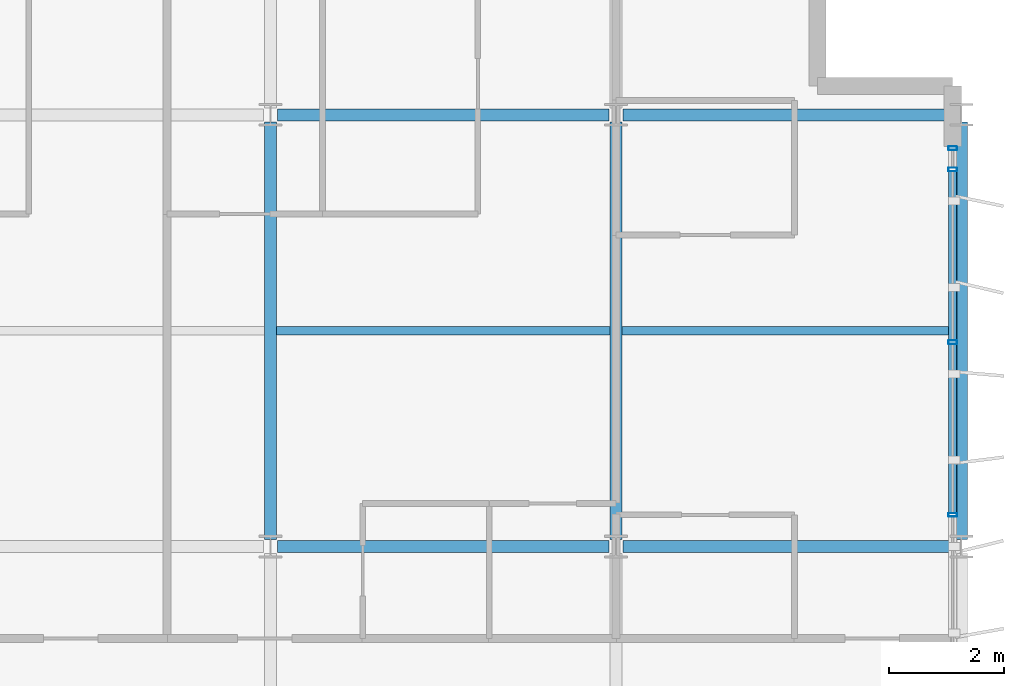
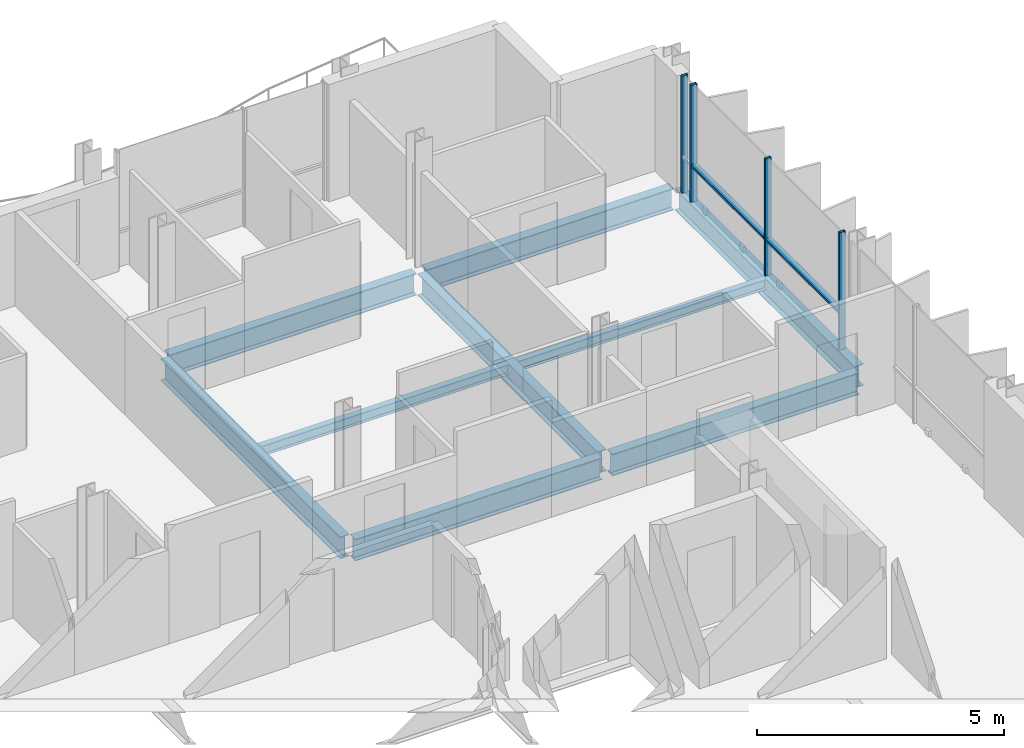
# One storey, part 12 of 29: 9 beams, 6 members, 1 element without a shape of its own.
"""IFC4 building model written with IfcOpenShell, lengths in metres."""

from ifc_helpers import new_model, si_unit, direction, frame, origin, origin_2d, place, context, subcontext, project, spatial, hollow_rectangle, i_section, extrude, material, layer, layer_set, material_profile, profile_set, type_object, element, aggregate, save


model = new_model("IFC4")

# Units and contexts
model_context = context("Model", 3, precision=1e-05, world=origin(), true_north=direction((0.0, 1.0)))
body_context = subcontext(model_context, "Body", "Model", "MODEL_VIEW")
ifc_project = project(units=[si_unit("LENGTHUNIT", "METRE"), si_unit("AREAUNIT", "SQUARE_METRE"), si_unit("VOLUMEUNIT", "CUBIC_METRE"), si_unit("PLANEANGLEUNIT", "RADIAN"), si_unit("MASSUNIT", "GRAM", prefix="KILO")], contexts=[model_context])

# Site, building, storey
site_placement = place(None, origin())
site = spatial("IfcSite", under=ifc_project, at=site_placement, CompositionType="ELEMENT")
building_placement = place(site_placement, origin())
building = spatial("IfcBuilding", under=site, at=building_placement, Name="Brevholm Reach", CompositionType="ELEMENT")
storey_placement = place(building_placement, frame((0.0, 0.0, 198.699951171875)))
storey = spatial("IfcBuildingStorey", under=building, at=storey_placement, Name="L60", CompositionType="ELEMENT", Elevation=198.699951171875)

# Beams
ifc_material_1 = material(Name="Structural Steel S355J2", Category="steel")
ifc_material_profile_1 = material_profile(ifc_material_1, i_section(OverallWidth=0.14599609375, OverallDepth=0.25146484375, WebThickness=0.006103515625, FlangeThickness=0.008544921875, FilletRadius=0.007568359375, at=origin_2d()), Name="UKB 254x146x31")
ifc_profile_set_1 = profile_set([ifc_material_profile_1], Name="Structural Steel S355J2")
beam_type_1 = type_object("IfcBeamType", Name="BM-B254", PredefinedType="BEAM", material=ifc_profile_set_1)
beam_1_placement = place(storey_placement, frame((48.10546875, 19.75, -0.335693359375), z_axis=(1.0, 0.0, 0.0), x_axis=(0.0, 1.0, 0.0)))
element("IfcBeam", 1, at=beam_1_placement, inside=storey, type_object=beam_type_1, Name="L60 Composite Secondary Floor Beam", PredefinedType="BEAM", context=body_context, shape_type="SweptSolid", body=[
    extrude(i_section(OverallWidth=0.14599609375, OverallDepth=0.25146484375, WebThickness=0.006103515625, FlangeThickness=0.008544921875, FilletRadius=0.007568359375, at=origin_2d()), origin(), (0.0, 0.0, 1.0), 5.7890625),
])
beam_2_placement = place(storey_placement, frame((54.10546875, 19.75, -0.335693359375), z_axis=(1.0, 0.0, 0.0), x_axis=(0.0, 1.0, 0.0)))
element("IfcBeam", 2, at=beam_2_placement, inside=storey, type_object=beam_type_1, Name="L60 Composite Secondary Floor Beam", PredefinedType="BEAM", context=body_context, shape_type="SweptSolid", body=[
    extrude(i_section(OverallWidth=0.14599609375, OverallDepth=0.25146484375, WebThickness=0.006103515625, FlangeThickness=0.008544921875, FilletRadius=0.007568359375, at=origin_2d()), origin(), (0.0, 0.0, 1.0), 5.789794921875),
])
ifc_material_2 = material(Name="Structural Steel S355J2", Category="steel")
ifc_material_profile_2 = material_profile(ifc_material_2, i_section(OverallWidth=0.209228515625, OverallDepth=0.533203125, WebThickness=0.010009765625, FlangeThickness=0.015625, FilletRadius=0.0126953125, at=origin_2d()), Name="UKB 533x210x92")
ifc_profile_set_2 = profile_set([ifc_material_profile_2], Name="Structural Steel S355J2")
beam_type_2 = type_object("IfcBeamType", Name="BM-SP533", PredefinedType="SPANDREL", material=ifc_profile_set_2)
beam_3_placement = place(storey_placement, frame((60.0, 16.1201171875, -0.4765625), z_axis=(0.0, 1.0, 0.0), x_axis=(-1.0, 0.0, 0.0)))
element("IfcBeam", 3, at=beam_3_placement, inside=storey, type_object=beam_type_2, Name="L60 SP-02 Framing Beam", PredefinedType="SPANDREL", context=body_context, shape_type="SweptSolid", body=[
    extrude(i_section(OverallWidth=0.209228515625, OverallDepth=0.533203125, WebThickness=0.010009765625, FlangeThickness=0.015625, FilletRadius=0.0126953125, at=origin_2d()), origin(), (0.0, 0.0, 1.0), 7.259765625),
])
ifc_material_3 = material(Name="Structural Steel S355J2", Category="steel")
ifc_material_profile_3 = material_profile(ifc_material_3, i_section(OverallWidth=0.210693359375, OverallDepth=0.53955078125, WebThickness=0.01171875, FlangeThickness=0.018798828125, FilletRadius=0.0126953125, at=origin_2d()), Name="UKB 533x210x109")
ifc_profile_set_3 = profile_set([ifc_material_profile_3], Name="Structural Steel S355J2")
beam_type_3 = type_object("IfcBeamType", Name="BM-SP539", PredefinedType="SPANDREL", material=ifc_profile_set_3)
for number, where, z_axis, x_axis, name in (
    (4, (48.1201171875, 16.0, -0.479736328125), (1.0, 0.0, 0.0), (0.0, 1.0, 0.0), "L60 SP-01B Framing Beam"),
    (5, (54.1201171875, 16.0, -0.479736328125), (1.0, 0.0, 0.0), (0.0, 1.0, 0.0), "L60 SP-01B Framing Beam"),
    (6, (48.1201171875, 23.5, -0.479736328125), (1.0, 0.0, 0.0), (0.0, 1.0, 0.0), "L60 SP-01B Framing Beam"),
    (7, (54.1201171875, 23.5, -0.479736328125), (1.0, 0.0, 0.0), (0.0, 1.0, 0.0), "L60 SP-01B Framing Beam"),
):
    element("IfcBeam", number, at=place(storey_placement, frame(where, z_axis=z_axis, x_axis=x_axis)), inside=storey, type_object=beam_type_3, Name=name, PredefinedType="SPANDREL", context=body_context, shape_type="SweptSolid", body=[
        extrude(i_section(OverallWidth=0.210693359375, OverallDepth=0.53955078125, WebThickness=0.01171875, FlangeThickness=0.018798828125, FilletRadius=0.0126953125, at=origin_2d()), origin(), (0.0, 0.0, 1.0), 5.759765625),
    ])
for number, where, z_axis, x_axis, name in (
    (8, (48.0, 16.1201171875, -0.479736328125), (0.0, 1.0, 0.0), (-1.0, 0.0, 0.0), "L60 SP-01B Framing Beam"),
    (9, (54.0, 16.1201171875, -0.479736328125), (0.0, 1.0, 0.0), (-1.0, 0.0, 0.0), "L60 SP-01B Framing Beam"),
):
    element("IfcBeam", number, at=place(storey_placement, frame(where, z_axis=z_axis, x_axis=x_axis)), inside=storey, type_object=beam_type_3, Name=name, PredefinedType="SPANDREL", context=body_context, shape_type="SweptSolid", body=[
        extrude(i_section(OverallWidth=0.210693359375, OverallDepth=0.53955078125, WebThickness=0.01171875, FlangeThickness=0.018798828125, FilletRadius=0.0126953125, at=origin_2d()), origin(), (0.0, 0.0, 1.0), 7.259765625),
    ])

# Curtain wall, members
ifc_material_4 = material(Name="Dark Anodised Aluminium 6063-T6 and Solar-Control Glass", Category="aluminium")
ifc_layer = layer(ifc_material_4, 0.14990234375)
ifc_layer_set = layer_set([ifc_layer], Name="Dark Anodised Aluminium 6063-T6 and Solar-Control Glass")
curtain_wall_type = type_object("IfcCurtainWallType", Name="CW-01", PredefinedType="NOTDEFINED", material=ifc_layer_set)
curtain_wall_placement = place(storey_placement, origin())
curtain_wall = element("IfcCurtainWall", 10, at=curtain_wall_placement, inside=storey, type_object=curtain_wall_type, Name="L60 Curtain Wall CW-01", PredefinedType="NOTDEFINED")
ifc_material_5 = material(Name="Dark Anodised Aluminium 6063-T6", Category="aluminium")
ifc_material_profile_4 = material_profile(ifc_material_5, hollow_rectangle(XDim=0.06494140625, YDim=0.14990234375, WallThickness=0.0048828125, InnerFilletRadius=0.0048828125, OuterFilletRadius=0.010009765625, at=origin_2d()), Name="RHS 150x65x5")
ifc_profile_set_4 = profile_set([ifc_material_profile_4], Name="Dark Anodised Aluminium 6063-T6")
member_type_1 = type_object("IfcMemberType", Name="CWM-150", PredefinedType="MULLION", material=ifc_profile_set_4)
member_1_placement = place(storey_placement, frame((59.85009765625, 16.550048828125, 0.0), z_axis=(0.0, 0.0, 1.0), x_axis=(0.0, 1.0, 0.0)))
member_1 = element("IfcMember", 11, at=member_1_placement, type_object=member_type_1, Name="CM-150 Mullion 3", PredefinedType="MULLION", context=body_context, shape_type="SweptSolid", body=[
    extrude(hollow_rectangle(XDim=0.06494140625, YDim=0.14990234375, WallThickness=0.0048828125, InnerFilletRadius=0.0048828125, OuterFilletRadius=0.010009765625, at=origin_2d()), origin(), (0.0, 0.0, 1.0), 2.89013671875),
])
member_2_placement = place(storey_placement, frame((59.85009765625, 19.550048828125, 0.0), z_axis=(0.0, 0.0, 1.0), x_axis=(0.0, 1.0, 0.0)))
member_2 = element("IfcMember", 12, at=member_2_placement, type_object=member_type_1, Name="CM-150 Mullion 4", PredefinedType="MULLION", context=body_context, shape_type="SweptSolid", body=[
    extrude(hollow_rectangle(XDim=0.06494140625, YDim=0.14990234375, WallThickness=0.0048828125, InnerFilletRadius=0.0048828125, OuterFilletRadius=0.010009765625, at=origin_2d()), origin(), (0.0, 0.0, 1.0), 2.89013671875),
])
member_3_placement = place(storey_placement, frame((59.85009765625, 22.550048828125, 0.0), z_axis=(0.0, 0.0, 1.0), x_axis=(0.0, 1.0, 0.0)))
member_3 = element("IfcMember", 13, at=member_3_placement, type_object=member_type_1, Name="CM-150 Mullion 5", PredefinedType="MULLION", context=body_context, shape_type="SweptSolid", body=[
    extrude(hollow_rectangle(XDim=0.06494140625, YDim=0.14990234375, WallThickness=0.0048828125, InnerFilletRadius=0.0048828125, OuterFilletRadius=0.010009765625, at=origin_2d()), origin(), (0.0, 0.0, 1.0), 2.89013671875),
])
member_4_placement = place(storey_placement, frame((59.85009765625, 22.91748046875, 0.0), z_axis=(0.0, 0.0, 1.0), x_axis=(0.0, 1.0, 0.0)))
member_4 = element("IfcMember", 14, at=member_4_placement, type_object=member_type_1, Name="CM-150 Mullion 6", PredefinedType="MULLION", context=body_context, shape_type="SweptSolid", body=[
    extrude(hollow_rectangle(XDim=0.06494140625, YDim=0.14990234375, WallThickness=0.0048828125, InnerFilletRadius=0.0048828125, OuterFilletRadius=0.010009765625, at=origin_2d()), origin(), (0.0, 0.0, 1.0), 2.89013671875),
])
ifc_material_6 = material(Name="Dark Anodised Aluminium 6063-T6", Category="aluminium")
ifc_material_profile_5 = material_profile(ifc_material_6, hollow_rectangle(XDim=0.06494140625, YDim=0.14990234375, WallThickness=0.0048828125, InnerFilletRadius=0.0048828125, OuterFilletRadius=0.010009765625, at=origin_2d()), Name="RHS 150x65x5")
ifc_profile_set_5 = profile_set([ifc_material_profile_5], Name="Dark Anodised Aluminium 6063-T6")
member_type_2 = type_object("IfcMemberType", Name="CWT-150", PredefinedType="NOTDEFINED", material=ifc_profile_set_5)
member_5_placement = place(storey_placement, frame((59.85009765625, 16.58251953125, 0.900146484375), z_axis=(0.0, 1.0, 0.0), x_axis=(0.0, 0.0, 1.0)))
member_5 = element("IfcMember", 15, at=member_5_placement, type_object=member_type_2, Name="CT-150 Transom 3.1", ObjectType="TRANSOM", PredefinedType="USERDEFINED", context=body_context, shape_type="SweptSolid", body=[
    extrude(hollow_rectangle(XDim=0.06494140625, YDim=0.14990234375, WallThickness=0.0048828125, InnerFilletRadius=0.0048828125, OuterFilletRadius=0.010009765625, at=origin_2d()), origin(), (0.0, 0.0, 1.0), 2.93505859375),
])
member_6_placement = place(storey_placement, frame((59.85009765625, 19.58251953125, 0.900146484375), z_axis=(0.0, 1.0, 0.0), x_axis=(0.0, 0.0, 1.0)))
member_6 = element("IfcMember", 16, at=member_6_placement, type_object=member_type_2, Name="CT-150 Transom 4.1", ObjectType="TRANSOM", PredefinedType="USERDEFINED", context=body_context, shape_type="SweptSolid", body=[
    extrude(hollow_rectangle(XDim=0.06494140625, YDim=0.14990234375, WallThickness=0.0048828125, InnerFilletRadius=0.0048828125, OuterFilletRadius=0.010009765625, at=origin_2d()), origin(), (0.0, 0.0, 1.0), 2.93505859375),
])
aggregate(curtain_wall, [member_1, member_2, member_3, member_4, member_5, member_6])

save(model, "model.ifc")
